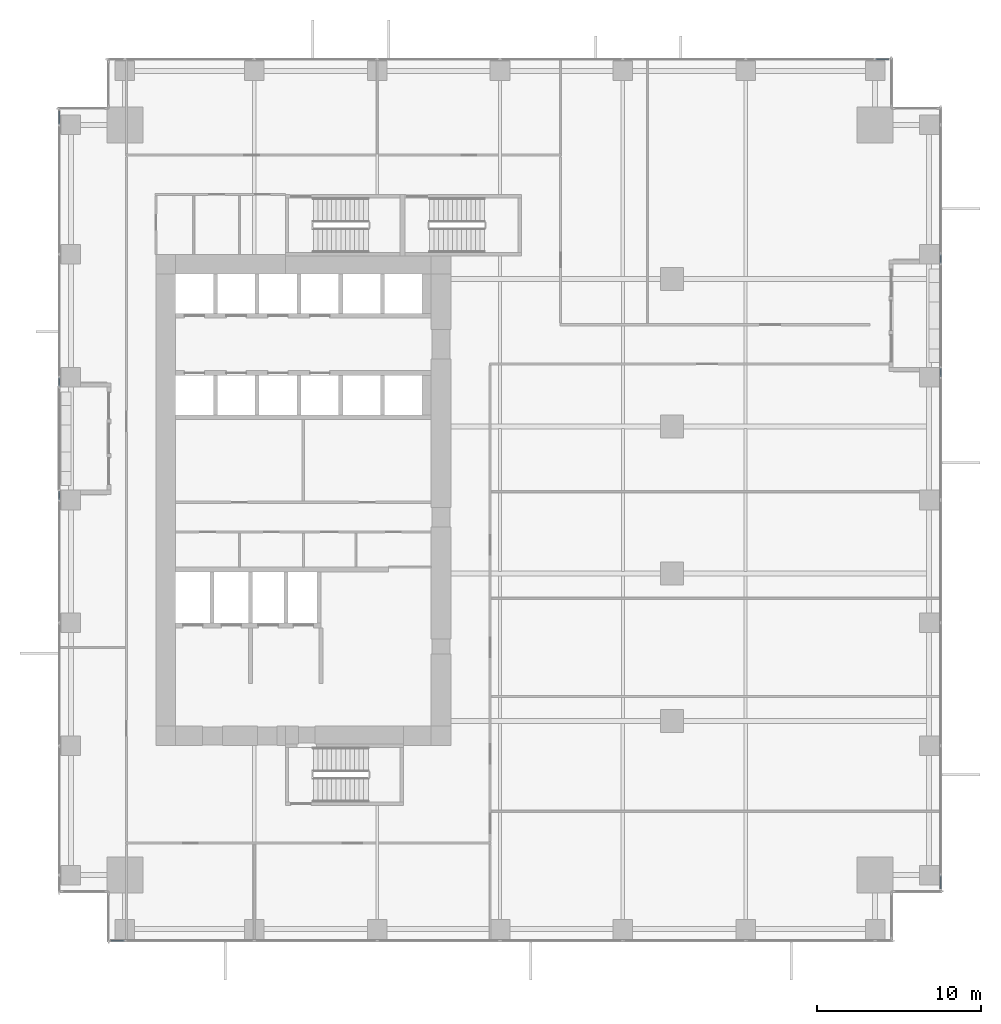
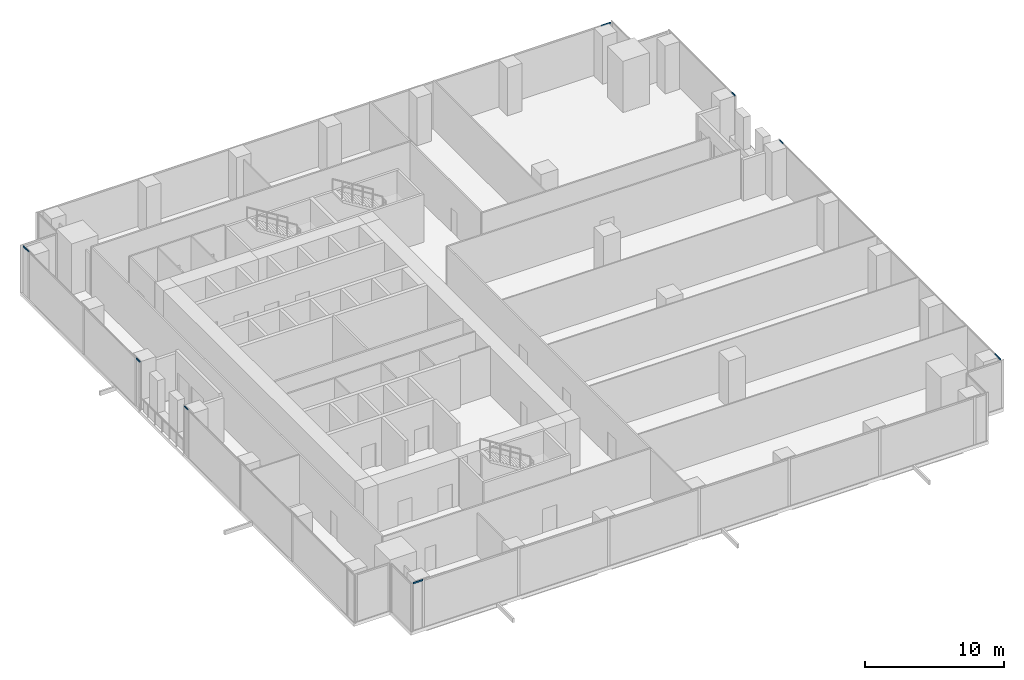
# One storey, part 20 of 32: 8 members, 6 elements without a shape of their own.
"""IFC4 building model written with IfcOpenShell, lengths in metres."""

from ifc_helpers import new_model, si_unit, direction, frame, origin, origin_2d, place, context, subcontext, project, spatial, hollow_rectangle, extrude, source, transform, mapped, material, material_profile, profile_set, type_object, element, aggregate, save


model = new_model("IFC4")

# Units and contexts
model_context = context("Model", 3, precision=1e-05, world=origin(), true_north=direction((0.0, 1.0)))
body_context = subcontext(model_context, "Body", "Model", "MODEL_VIEW")
ifc_project = project(units=[si_unit("LENGTHUNIT", "METRE"), si_unit("AREAUNIT", "SQUARE_METRE"), si_unit("VOLUMEUNIT", "CUBIC_METRE"), si_unit("PLANEANGLEUNIT", "RADIAN"), si_unit("MASSUNIT", "GRAM", prefix="KILO")], contexts=[model_context])

# Site, building, storey
site_placement = place(None, origin())
site = spatial("IfcSite", under=ifc_project, at=site_placement, CompositionType="ELEMENT")
building_placement = place(site_placement, origin())
building = spatial("IfcBuilding", under=site, at=building_placement, Name="Khomas Fold Tower", CompositionType="ELEMENT")
storey_placement = place(building_placement, frame((0.0, 0.0, 64.5)))
storey = spatial("IfcBuildingStorey", under=building, at=storey_placement, Name="L13", CompositionType="ELEMENT", Elevation=64.5)

# Curtain wall, member
ifc_material_1 = material(Name="Aluminium framed double glazing", Category="aluminium")
curtain_wall_type = type_object("IfcCurtainWallType", Name="SK-Unitised clear-glass wall, growing floors CW1", PredefinedType="NOTDEFINED", material=ifc_material_1)
curtain_wall_1_placement = place(storey_placement, origin())
curtain_wall_1 = element("IfcCurtainWall", 1, at=curtain_wall_1_placement, inside=storey, type_object=curtain_wall_type, Name="CW1 run L13 00-0", PredefinedType="NOTDEFINED")
ifc_material_2 = material(Name="Aluminium", Category="aluminium")
ifc_material_profile = material_profile(ifc_material_2, hollow_rectangle(XDim=0.06005859375, YDim=0.1201171875, WallThickness=0.00390625, at=origin_2d()), Name="SK-Unitised clear-glass wall, growing floors transom CW1-T")
ifc_profile_set = profile_set([ifc_material_profile], Name="Aluminium")
member_type = type_object("IfcMemberType", Name="SK-Unitised clear-glass wall, growing floors transom CW1-T", PredefinedType="USERDEFINED", material=ifc_profile_set)
shared_shape_1 = source(origin(), body_context, "Body", "SweptSolid", [
    extrude(hollow_rectangle(XDim=0.06005859375, YDim=0.1201171875, WallThickness=0.00390625, at=origin_2d()), origin(), (0.0, 0.0, 1.0), 0.81005859375),
])
member_1_placement = place(storey_placement, frame((3.260009765625, 0.10009765625, 4.139892578125), z_axis=(1.0, 0.0, 0.0), x_axis=(0.0, 1.0, 0.0)))
member_1 = element("IfcMember", 2, at=member_1_placement, type_object=member_type, Name="CW1 transom 1", ObjectType="TRANSOM", PredefinedType="USERDEFINED", context=body_context, shape_type="MappedRepresentation", body=[
    mapped(shared_shape_1, transform((0.0, 0.0, 0.0))),
])
aggregate(curtain_wall_1, [member_1])

curtain_wall_2_placement = place(storey_placement, origin())
curtain_wall_2 = element("IfcCurtainWall", 3, at=curtain_wall_2_placement, inside=storey, type_object=curtain_wall_type, Name="CW1 run L13 03-0", PredefinedType="NOTDEFINED")
member_2_placement = place(storey_placement, frame((53.89990234375, 3.260009765625, 4.139892578125), z_axis=(0.0, 1.0, 0.0), x_axis=(-1.0, 0.0, 0.0)))
member_2 = element("IfcMember", 4, at=member_2_placement, type_object=member_type, Name="CW1 transom 1", ObjectType="TRANSOM", PredefinedType="USERDEFINED", context=body_context, shape_type="MappedRepresentation", body=[
    mapped(shared_shape_1, transform((0.0, 0.0, 0.0))),
])

curtain_wall_3_placement = place(storey_placement, origin())
curtain_wall_3 = element("IfcCurtainWall", 5, at=curtain_wall_3_placement, inside=storey, type_object=curtain_wall_type, Name="CW1 run L13 06-0", PredefinedType="NOTDEFINED")
member_3_placement = place(storey_placement, frame((50.739990234375, 53.89990234375, 4.139892578125), z_axis=(-1.0, 0.0, 0.0), x_axis=(0.0, -1.0, 0.0)))
member_3 = element("IfcMember", 6, at=member_3_placement, type_object=member_type, Name="CW1 transom 1", ObjectType="TRANSOM", PredefinedType="USERDEFINED", context=body_context, shape_type="MappedRepresentation", body=[
    mapped(shared_shape_1, transform((0.0, 0.0, 0.0))),
])
aggregate(curtain_wall_3, [member_3])

curtain_wall_4_placement = place(storey_placement, origin())
curtain_wall_4 = element("IfcCurtainWall", 7, at=curtain_wall_4_placement, inside=storey, type_object=curtain_wall_type, Name="CW1 run L13 09-0", PredefinedType="NOTDEFINED")
member_4_placement = place(storey_placement, frame((0.10009765625, 50.739990234375, 4.139892578125), z_axis=(0.0, -1.0, 0.0), x_axis=(1.0, 0.0, 0.0)))
member_4 = element("IfcMember", 8, at=member_4_placement, type_object=member_type, Name="CW1 transom 1", ObjectType="TRANSOM", PredefinedType="USERDEFINED", context=body_context, shape_type="MappedRepresentation", body=[
    mapped(shared_shape_1, transform((0.0, 0.0, 0.0))),
])

# Member
shared_shape_2 = source(origin(), body_context, "Body", "SweptSolid", [
    extrude(hollow_rectangle(XDim=0.06005859375, YDim=0.1201171875, WallThickness=0.00390625, at=origin_2d()), origin(), (0.0, 0.0, 1.0), 0.510009765625),
])
member_5_placement = place(storey_placement, frame((53.89990234375, 34.530029296875, 4.139892578125), z_axis=(0.0, 1.0, 0.0), x_axis=(-1.0, 0.0, 0.0)))
member_5 = element("IfcMember", 9, at=member_5_placement, type_object=member_type, Name="CW1 transom 6", ObjectType="TRANSOM", PredefinedType="USERDEFINED", context=body_context, shape_type="MappedRepresentation", body=[
    mapped(shared_shape_2, transform((0.0, 0.0, 0.0))),
])

aggregate(curtain_wall_2, [member_2, member_5])

# Curtain wall, member
curtain_wall_5_placement = place(storey_placement, origin())
curtain_wall_5 = element("IfcCurtainWall", 10, at=curtain_wall_5_placement, inside=storey, type_object=curtain_wall_type, Name="CW1 run L13 03-1", PredefinedType="NOTDEFINED")
member_6_placement = place(storey_placement, frame((53.89990234375, 41.4599609375, 4.139892578125), z_axis=(0.0, 1.0, 0.0), x_axis=(-1.0, 0.0, 0.0)))
member_6 = element("IfcMember", 11, at=member_6_placement, type_object=member_type, Name="CW1 transom 1", ObjectType="TRANSOM", PredefinedType="USERDEFINED", context=body_context, shape_type="MappedRepresentation", body=[
    mapped(shared_shape_2, transform((0.0, 0.0, 0.0))),
])
aggregate(curtain_wall_5, [member_6])

# Member
member_7_placement = place(storey_placement, frame((0.10009765625, 34.469970703125, 4.139892578125), z_axis=(0.0, -1.0, 0.0), x_axis=(1.0, 0.0, 0.0)))
member_7 = element("IfcMember", 12, at=member_7_placement, type_object=member_type, Name="CW1 transom 4", ObjectType="TRANSOM", PredefinedType="USERDEFINED", context=body_context, shape_type="MappedRepresentation", body=[
    mapped(shared_shape_2, transform((0.0, 0.0, 0.0))),
])

aggregate(curtain_wall_4, [member_4, member_7])

# Curtain wall, member
curtain_wall_6_placement = place(storey_placement, origin())
curtain_wall_6 = element("IfcCurtainWall", 13, at=curtain_wall_6_placement, inside=storey, type_object=curtain_wall_type, Name="CW1 run L13 09-1", PredefinedType="NOTDEFINED")
member_8_placement = place(storey_placement, frame((0.10009765625, 27.5400390625, 4.139892578125), z_axis=(0.0, -1.0, 0.0), x_axis=(1.0, 0.0, 0.0)))
member_8 = element("IfcMember", 14, at=member_8_placement, type_object=member_type, Name="CW1 transom 1", ObjectType="TRANSOM", PredefinedType="USERDEFINED", context=body_context, shape_type="MappedRepresentation", body=[
    mapped(shared_shape_2, transform((0.0, 0.0, 0.0))),
])
aggregate(curtain_wall_6, [member_8])

save(model, "model.ifc")
